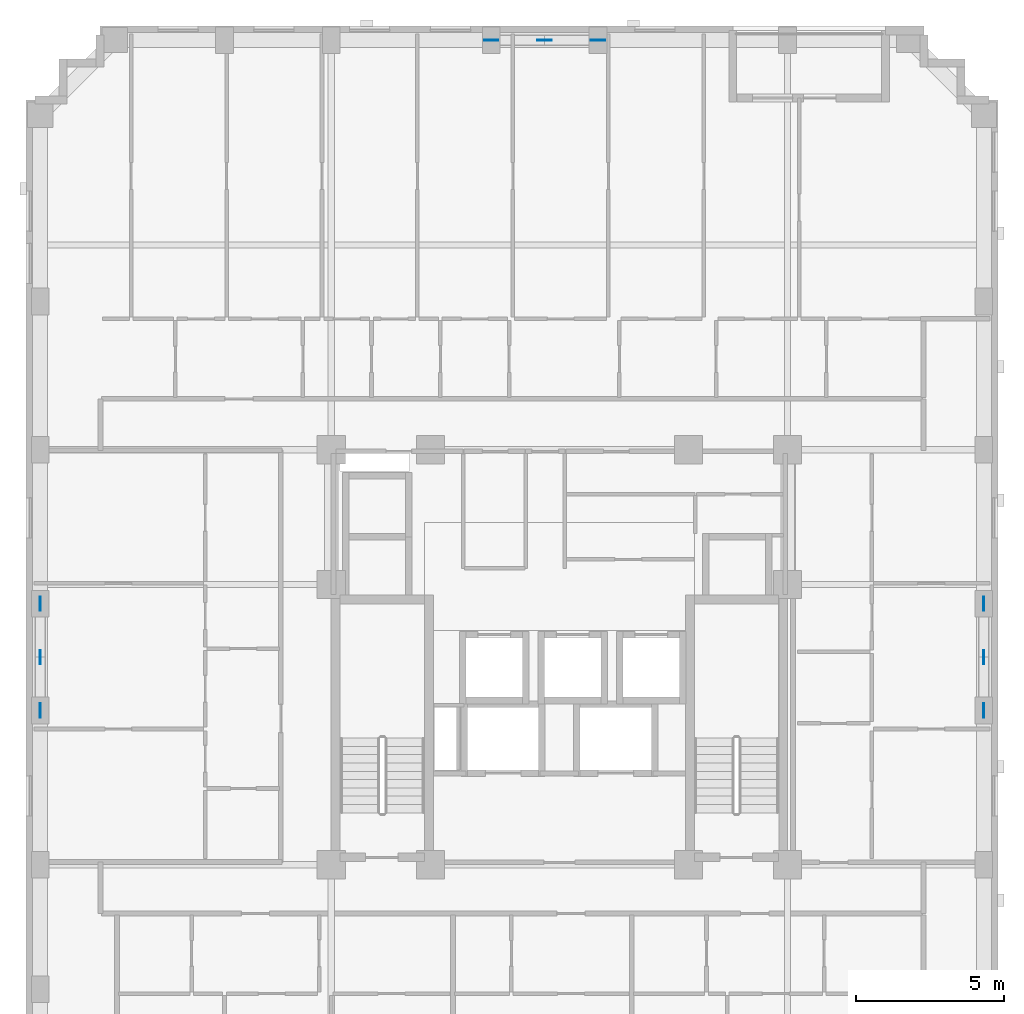
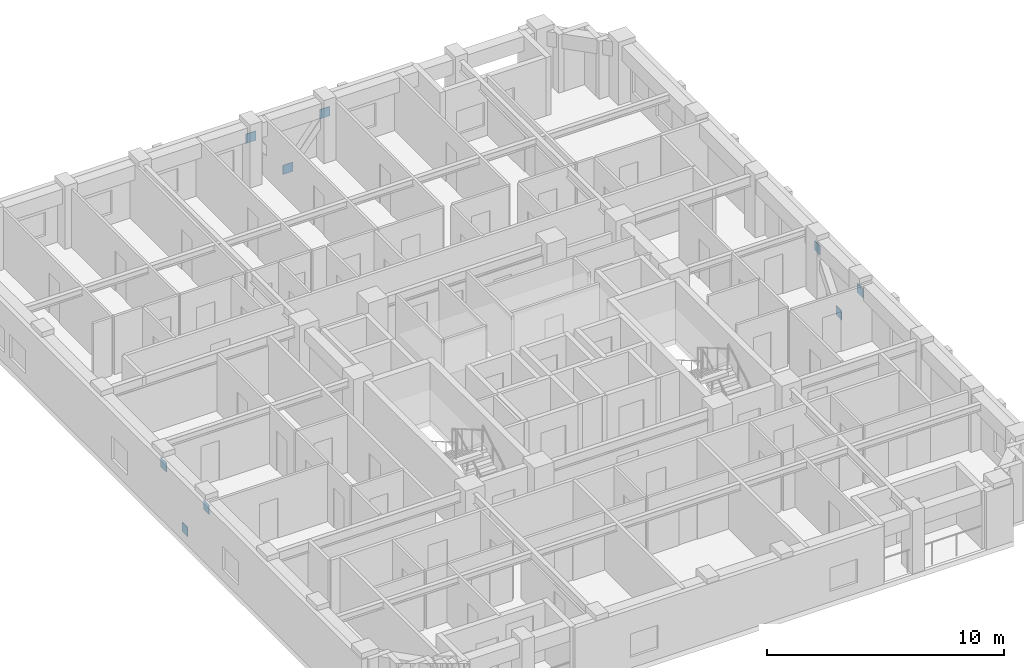
# One storey, part 9 of 11: 9 discrete accessories.
"""IFC4 building model written with IfcOpenShell, lengths in metres."""

from ifc_helpers import new_model, si_unit, derived_unit, direction, frame, origin, origin_2d, place, context, subcontext, project, spatial, rectangle, extrude, material, layer, layer_set, type_object, element, save


model = new_model("IFC4")

# Units and contexts
model_context = context("Model", 3, precision=1e-05, world=origin(), true_north=direction((0.0, 1.0)))
body_context = subcontext(model_context, "Body", "Model", "MODEL_VIEW")
ifc_project = project(units=[si_unit("LENGTHUNIT", "METRE"), si_unit("AREAUNIT", "SQUARE_METRE"), si_unit("VOLUMEUNIT", "CUBIC_METRE"), si_unit("PLANEANGLEUNIT", "RADIAN"), si_unit("MASSUNIT", "GRAM", prefix="KILO"), derived_unit("THERMALTRANSMITTANCEUNIT", [(si_unit("MASSUNIT", "GRAM", prefix="KILO"), 1), (si_unit("TIMEUNIT", "SECOND"), -3), (si_unit("THERMODYNAMICTEMPERATUREUNIT", "KELVIN"), -1)])], contexts=[model_context])

# Site, building, storey
site_placement = place(None, origin())
site = spatial("IfcSite", under=ifc_project, at=site_placement, CompositionType="ELEMENT")
building_placement = place(site_placement, origin())
building = spatial("IfcBuilding", under=site, at=building_placement, Name="Korrvale Station Residences", CompositionType="ELEMENT")
storey_placement = place(building_placement, frame((0.0, 0.0, 156.89990234375)))
storey = spatial("IfcBuildingStorey", under=building, at=storey_placement, Name="L45", CompositionType="ELEMENT", Elevation=156.89990234375)

# Discrete accessories
ifc_material = material(Name="Steel S355", Category="steel")
ifc_layer = layer(ifc_material, 0.02490234375, Name="Steel S355")
ifc_layer_set = layer_set([ifc_layer], Name="Steel S355")
discrete_accessory_type = type_object("IfcDiscreteAccessoryType", Name="ACC-GUSSET-25", PredefinedType="BRACKET", material=ifc_layer_set)
for number, where, z_axis, x_axis, name in (
    (1, (25.0, 42.820068359375, -0.219970703125), (0.0, 0.0, 1.0), (1.0, 0.0, 0.0), "L45 N Brace End Gusset Connection M"),
    (2, (23.199951171875, 42.820068359375, 2.02001953125), (0.0, 0.0, 1.0), (1.0, 0.0, 0.0), "L45 N Brace End Gusset Connection A"),
    (3, (26.800048828125, 42.820068359375, 2.02001953125), (0.0, 0.0, 1.0), (1.0, 0.0, 0.0), "L45 N Brace End Gusset Connection B"),
    (4, (7.97998046875, 22.0, -0.219970703125), (0.0, 0.0, 1.0), (0.0, 1.0, 0.0), "L45 W Brace End Gusset Connection M"),
    (5, (7.97998046875, 20.199951171875, 2.02001953125), (0.0, 0.0, 1.0), (0.0, 1.0, 0.0), "L45 W Brace End Gusset Connection A"),
    (6, (7.97998046875, 23.800048828125, 2.02001953125), (0.0, 0.0, 1.0), (0.0, 1.0, 0.0), "L45 W Brace End Gusset Connection B"),
    (7, (39.820068359375, 22.0, -0.219970703125), (0.0, 0.0, 1.0), (0.0, 1.0, 0.0), "L45 E Brace End Gusset Connection M"),
    (8, (39.820068359375, 20.199951171875, 2.02001953125), (0.0, 0.0, 1.0), (0.0, 1.0, 0.0), "L45 E Brace End Gusset Connection A"),
    (9, (39.820068359375, 23.800048828125, 2.02001953125), (0.0, 0.0, 1.0), (0.0, 1.0, 0.0), "L45 E Brace End Gusset Connection B"),
):
    element("IfcDiscreteAccessory", number, at=place(storey_placement, frame(where, z_axis=z_axis, x_axis=x_axis)), inside=storey, type_object=discrete_accessory_type, Name=name, PredefinedType="BRACKET", context=body_context, shape_type="SweptSolid", body=[
        extrude(rectangle(XDim=0.47998046875, YDim=0.02490234375, at=origin_2d()), origin(), (0.0, 0.0, 1.0), 0.47998046875),
    ])

save(model, "model.ifc")
